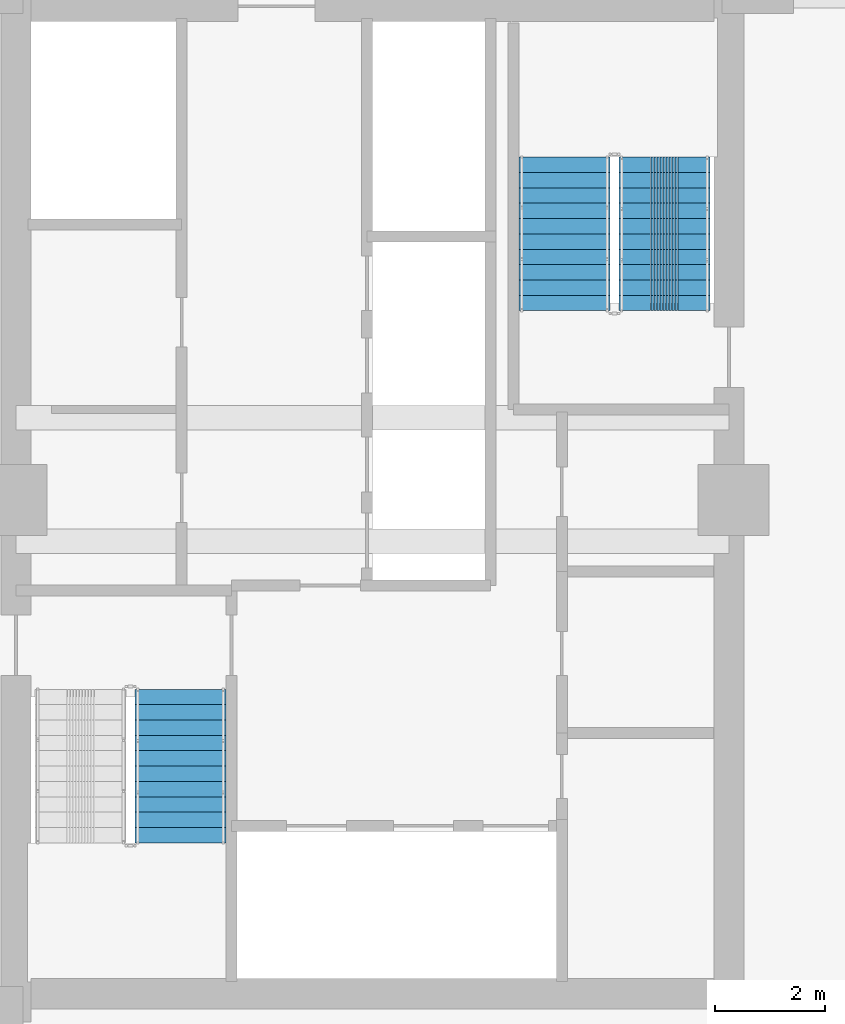
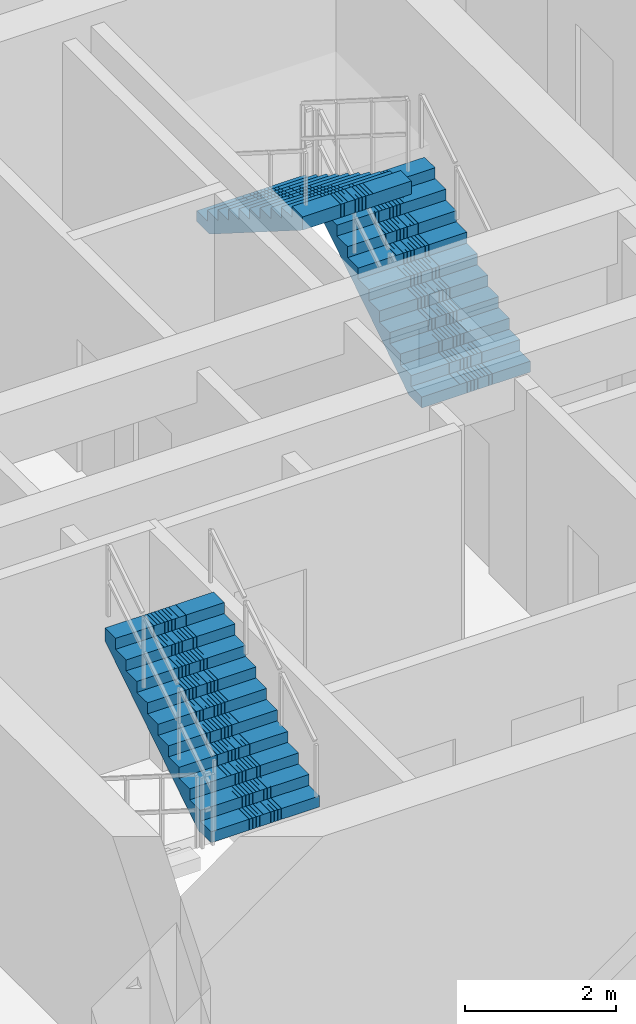
# One storey, part 9 of 13: 3 stair flights, 2 elements without a shape of their own.
"""IFC4 building model written with IfcOpenShell, lengths in metres."""

from ifc_helpers import new_model, si_unit, direction, frame, origin, place, context, subcontext, project, spatial, polyline, outline, extrude, material, type_object, element, aggregate, save


model = new_model("IFC4")

# Units and contexts
model_context = context("Model", 3, precision=1e-05, world=origin(), true_north=direction((0.0, 1.0)))
body_context = subcontext(model_context, "Body", "Model", "MODEL_VIEW")
ifc_project = project(units=[si_unit("LENGTHUNIT", "METRE"), si_unit("AREAUNIT", "SQUARE_METRE"), si_unit("VOLUMEUNIT", "CUBIC_METRE"), si_unit("PLANEANGLEUNIT", "RADIAN"), si_unit("MASSUNIT", "GRAM", prefix="KILO")], contexts=[model_context])

# Site, building, storey
site_placement = place(None, origin())
site = spatial("IfcSite", under=ifc_project, at=site_placement, CompositionType="ELEMENT")
building_placement = place(site_placement, origin())
building = spatial("IfcBuilding", under=site, at=building_placement, Name="Saelheon Loggia Tower", CompositionType="ELEMENT")
storey_placement = place(building_placement, frame((0.0, 0.0, 122.85009765625)))
storey = spatial("IfcBuildingStorey", under=building, at=storey_placement, Name="L39", CompositionType="ELEMENT", Elevation=122.85009765625)

# Stair, stair flight
ifc_material = material(Name="Concrete C40/50", Category="concrete")
stair_type = type_object("IfcStairType", Name="Stair_Escape_Core", PredefinedType="HALF_TURN_STAIR", material=ifc_material)
stair_1_placement = place(storey_placement, origin())
stair_1 = element("IfcStair", 1, at=stair_1_placement, inside=storey, type_object=stair_type, Name="L39 Special Escape Stair ST1", PredefinedType="HALF_TURN_STAIR")
stair_flight_type = type_object("IfcStairFlightType", Name="StairFlight_Tower_1660", PredefinedType="STRAIGHT", material=ifc_material)
stair_flight_1_placement = place(storey_placement, frame((34.5, 20.75, 1.949951171875), z_axis=(0.0, 0.0, 1.0), x_axis=(0.0, 1.0, 0.0)))
stair_flight_1 = element("IfcStairFlight", 2, at=stair_flight_1_placement, type_object=stair_flight_type, Name="ST1 flight 2", NumberOfRisers=11, NumberOfTreads=10, PredefinedType="STRAIGHT", RiserHeight=0.177272727, TreadLength=0.28, context=body_context, shape_type="SweptSolid", body=[
    extrude(outline(polyline([(0.0, 0.0), (0.0, 0.17724609375), (0.280029296875, 0.17724609375), (0.280029296875, 0.3544921875), (0.56005859375, 0.3544921875), (0.56005859375, 0.53173828125), (0.840087890625, 0.53173828125), (0.840087890625, 0.708984375), (1.1201171875, 0.708984375), (1.1201171875, 0.886474609375), (1.39990234375, 0.886474609375), (1.39990234375, 1.063720703125), (1.679931640625, 1.063720703125), (1.679931640625, 1.240966796875), (1.9599609375, 1.240966796875), (1.9599609375, 1.418212890625), (2.239990234375, 1.418212890625), (2.239990234375, 1.595458984375), (2.52001953125, 1.595458984375), (2.52001953125, 1.772705078125), (2.800048828125, 1.772705078125), (2.800048828125, 1.949951171875), (2.800048828125, 1.559814453125), (0.33642578125, 0.0), (0.0, 0.0)])), frame((0.0, -0.2490234375, 0.0), z_axis=(0.0, -1.0, 0.0), x_axis=(1.0, 0.0, 0.0)), (0.0, 0.0, 1.0), 0.5810546875),
    extrude(outline(polyline([(0.0, 0.0), (0.0, 0.17724609375), (0.280029296875, 0.17724609375), (0.280029296875, 0.3544921875), (0.56005859375, 0.3544921875), (0.56005859375, 0.53173828125), (0.840087890625, 0.53173828125), (0.840087890625, 0.708984375), (1.1201171875, 0.708984375), (1.1201171875, 0.886474609375), (1.39990234375, 0.886474609375), (1.39990234375, 1.063720703125), (1.679931640625, 1.063720703125), (1.679931640625, 1.240966796875), (1.9599609375, 1.240966796875), (1.9599609375, 1.418212890625), (2.239990234375, 1.418212890625), (2.239990234375, 1.595458984375), (2.52001953125, 1.595458984375), (2.52001953125, 1.772705078125), (2.800048828125, 1.772705078125), (2.800048828125, 1.949951171875), (2.800048828125, 1.559814453125), (0.33642578125, 0.0), (0.0, 0.0)])), frame((0.0, -0.194091796875, 0.0), z_axis=(0.0, -1.0, 0.0), x_axis=(1.0, 0.0, 0.0)), (0.0, 0.0, 1.0), 0.0498046875),
    extrude(outline(polyline([(0.0, 0.0), (0.0, 0.17724609375), (0.280029296875, 0.17724609375), (0.280029296875, 0.3544921875), (0.56005859375, 0.3544921875), (0.56005859375, 0.53173828125), (0.840087890625, 0.53173828125), (0.840087890625, 0.708984375), (1.1201171875, 0.708984375), (1.1201171875, 0.886474609375), (1.39990234375, 0.886474609375), (1.39990234375, 1.063720703125), (1.679931640625, 1.063720703125), (1.679931640625, 1.240966796875), (1.9599609375, 1.240966796875), (1.9599609375, 1.418212890625), (2.239990234375, 1.418212890625), (2.239990234375, 1.595458984375), (2.52001953125, 1.595458984375), (2.52001953125, 1.772705078125), (2.800048828125, 1.772705078125), (2.800048828125, 1.949951171875), (2.800048828125, 1.559814453125), (0.33642578125, 0.0), (0.0, 0.0)])), frame((0.0, -0.139404296875, 0.0), z_axis=(0.0, -1.0, 0.0), x_axis=(1.0, 0.0, 0.0)), (0.0, 0.0, 1.0), 0.0498046875),
    extrude(outline(polyline([(0.0, 0.0), (0.0, 0.17724609375), (0.280029296875, 0.17724609375), (0.280029296875, 0.3544921875), (0.56005859375, 0.3544921875), (0.56005859375, 0.53173828125), (0.840087890625, 0.53173828125), (0.840087890625, 0.708984375), (1.1201171875, 0.708984375), (1.1201171875, 0.886474609375), (1.39990234375, 0.886474609375), (1.39990234375, 1.063720703125), (1.679931640625, 1.063720703125), (1.679931640625, 1.240966796875), (1.9599609375, 1.240966796875), (1.9599609375, 1.418212890625), (2.239990234375, 1.418212890625), (2.239990234375, 1.595458984375), (2.52001953125, 1.595458984375), (2.52001953125, 1.772705078125), (2.800048828125, 1.772705078125), (2.800048828125, 1.949951171875), (2.800048828125, 1.559814453125), (0.33642578125, 0.0), (0.0, 0.0)])), frame((0.0, -0.084716796875, 0.0), z_axis=(0.0, -1.0, 0.0), x_axis=(1.0, 0.0, 0.0)), (0.0, 0.0, 1.0), 0.0498046875),
    extrude(outline(polyline([(0.0, 0.0), (0.0, 0.17724609375), (0.280029296875, 0.17724609375), (0.280029296875, 0.3544921875), (0.56005859375, 0.3544921875), (0.56005859375, 0.53173828125), (0.840087890625, 0.53173828125), (0.840087890625, 0.708984375), (1.1201171875, 0.708984375), (1.1201171875, 0.886474609375), (1.39990234375, 0.886474609375), (1.39990234375, 1.063720703125), (1.679931640625, 1.063720703125), (1.679931640625, 1.240966796875), (1.9599609375, 1.240966796875), (1.9599609375, 1.418212890625), (2.239990234375, 1.418212890625), (2.239990234375, 1.595458984375), (2.52001953125, 1.595458984375), (2.52001953125, 1.772705078125), (2.800048828125, 1.772705078125), (2.800048828125, 1.949951171875), (2.800048828125, 1.559814453125), (0.33642578125, 0.0), (0.0, 0.0)])), frame((0.0, -0.02978515625, 0.0), z_axis=(0.0, -1.0, 0.0), x_axis=(1.0, 0.0, 0.0)), (0.0, 0.0, 1.0), 0.0498046875),
    extrude(outline(polyline([(0.0, 0.0), (0.0, 0.17724609375), (0.280029296875, 0.17724609375), (0.280029296875, 0.3544921875), (0.56005859375, 0.3544921875), (0.56005859375, 0.53173828125), (0.840087890625, 0.53173828125), (0.840087890625, 0.708984375), (1.1201171875, 0.708984375), (1.1201171875, 0.886474609375), (1.39990234375, 0.886474609375), (1.39990234375, 1.063720703125), (1.679931640625, 1.063720703125), (1.679931640625, 1.240966796875), (1.9599609375, 1.240966796875), (1.9599609375, 1.418212890625), (2.239990234375, 1.418212890625), (2.239990234375, 1.595458984375), (2.52001953125, 1.595458984375), (2.52001953125, 1.772705078125), (2.800048828125, 1.772705078125), (2.800048828125, 1.949951171875), (2.800048828125, 1.559814453125), (0.33642578125, 0.0), (0.0, 0.0)])), frame((0.0, 0.02490234375, 0.0), z_axis=(0.0, -1.0, 0.0), x_axis=(1.0, 0.0, 0.0)), (0.0, 0.0, 1.0), 0.0498046875),
    extrude(outline(polyline([(0.0, 0.0), (0.0, 0.17724609375), (0.280029296875, 0.17724609375), (0.280029296875, 0.3544921875), (0.56005859375, 0.3544921875), (0.56005859375, 0.53173828125), (0.840087890625, 0.53173828125), (0.840087890625, 0.708984375), (1.1201171875, 0.708984375), (1.1201171875, 0.886474609375), (1.39990234375, 0.886474609375), (1.39990234375, 1.063720703125), (1.679931640625, 1.063720703125), (1.679931640625, 1.240966796875), (1.9599609375, 1.240966796875), (1.9599609375, 1.418212890625), (2.239990234375, 1.418212890625), (2.239990234375, 1.595458984375), (2.52001953125, 1.595458984375), (2.52001953125, 1.772705078125), (2.800048828125, 1.772705078125), (2.800048828125, 1.949951171875), (2.800048828125, 1.559814453125), (0.33642578125, 0.0), (0.0, 0.0)])), frame((0.0, 0.07958984375, 0.0), z_axis=(0.0, -1.0, 0.0), x_axis=(1.0, 0.0, 0.0)), (0.0, 0.0, 1.0), 0.0498046875),
    extrude(outline(polyline([(0.0, 0.0), (0.0, 0.17724609375), (0.280029296875, 0.17724609375), (0.280029296875, 0.3544921875), (0.56005859375, 0.3544921875), (0.56005859375, 0.53173828125), (0.840087890625, 0.53173828125), (0.840087890625, 0.708984375), (1.1201171875, 0.708984375), (1.1201171875, 0.886474609375), (1.39990234375, 0.886474609375), (1.39990234375, 1.063720703125), (1.679931640625, 1.063720703125), (1.679931640625, 1.240966796875), (1.9599609375, 1.240966796875), (1.9599609375, 1.418212890625), (2.239990234375, 1.418212890625), (2.239990234375, 1.595458984375), (2.52001953125, 1.595458984375), (2.52001953125, 1.772705078125), (2.800048828125, 1.772705078125), (2.800048828125, 1.949951171875), (2.800048828125, 1.559814453125), (0.33642578125, 0.0), (0.0, 0.0)])), frame((0.0, 0.134521484375, 0.0), z_axis=(0.0, -1.0, 0.0), x_axis=(1.0, 0.0, 0.0)), (0.0, 0.0, 1.0), 0.0498046875),
    extrude(outline(polyline([(0.0, 0.0), (0.0, 0.17724609375), (0.280029296875, 0.17724609375), (0.280029296875, 0.3544921875), (0.56005859375, 0.3544921875), (0.56005859375, 0.53173828125), (0.840087890625, 0.53173828125), (0.840087890625, 0.708984375), (1.1201171875, 0.708984375), (1.1201171875, 0.886474609375), (1.39990234375, 0.886474609375), (1.39990234375, 1.063720703125), (1.679931640625, 1.063720703125), (1.679931640625, 1.240966796875), (1.9599609375, 1.240966796875), (1.9599609375, 1.418212890625), (2.239990234375, 1.418212890625), (2.239990234375, 1.595458984375), (2.52001953125, 1.595458984375), (2.52001953125, 1.772705078125), (2.800048828125, 1.772705078125), (2.800048828125, 1.949951171875), (2.800048828125, 1.559814453125), (0.33642578125, 0.0), (0.0, 0.0)])), frame((0.0, 0.189208984375, 0.0), z_axis=(0.0, -1.0, 0.0), x_axis=(1.0, 0.0, 0.0)), (0.0, 0.0, 1.0), 0.0498046875),
    extrude(outline(polyline([(0.0, 0.0), (0.0, 0.17724609375), (0.280029296875, 0.17724609375), (0.280029296875, 0.3544921875), (0.56005859375, 0.3544921875), (0.56005859375, 0.53173828125), (0.840087890625, 0.53173828125), (0.840087890625, 0.708984375), (1.1201171875, 0.708984375), (1.1201171875, 0.886474609375), (1.39990234375, 0.886474609375), (1.39990234375, 1.063720703125), (1.679931640625, 1.063720703125), (1.679931640625, 1.240966796875), (1.9599609375, 1.240966796875), (1.9599609375, 1.418212890625), (2.239990234375, 1.418212890625), (2.239990234375, 1.595458984375), (2.52001953125, 1.595458984375), (2.52001953125, 1.772705078125), (2.800048828125, 1.772705078125), (2.800048828125, 1.949951171875), (2.800048828125, 1.559814453125), (0.33642578125, 0.0), (0.0, 0.0)])), frame((0.0, 0.243896484375, 0.0), z_axis=(0.0, -1.0, 0.0), x_axis=(1.0, 0.0, 0.0)), (0.0, 0.0, 1.0), 0.0498046875),
    extrude(outline(polyline([(0.0, 0.0), (0.0, 0.17724609375), (0.280029296875, 0.17724609375), (0.280029296875, 0.3544921875), (0.56005859375, 0.3544921875), (0.56005859375, 0.53173828125), (0.840087890625, 0.53173828125), (0.840087890625, 0.708984375), (1.1201171875, 0.708984375), (1.1201171875, 0.886474609375), (1.39990234375, 0.886474609375), (1.39990234375, 1.063720703125), (1.679931640625, 1.063720703125), (1.679931640625, 1.240966796875), (1.9599609375, 1.240966796875), (1.9599609375, 1.418212890625), (2.239990234375, 1.418212890625), (2.239990234375, 1.595458984375), (2.52001953125, 1.595458984375), (2.52001953125, 1.772705078125), (2.800048828125, 1.772705078125), (2.800048828125, 1.949951171875), (2.800048828125, 1.559814453125), (0.33642578125, 0.0), (0.0, 0.0)])), frame((0.0, 0.830078125, 0.0), z_axis=(0.0, -1.0, 0.0), x_axis=(1.0, 0.0, 0.0)), (0.0, 0.0, 1.0), 0.5810546875),
])
aggregate(stair_1, [stair_flight_1])

# Stair, stair flights
stair_2_placement = place(storey_placement, origin())
stair_2 = element("IfcStair", 3, at=stair_2_placement, inside=storey, type_object=stair_type, Name="L39 Special Escape Stair ST2", PredefinedType="HALF_TURN_STAIR")
stair_flight_2_placement = place(storey_placement, frame((43.320068359375, 30.449951171875, 0.0), z_axis=(0.0, 0.0, 1.0), x_axis=(0.0, 1.0, 0.0)))
stair_flight_2 = element("IfcStairFlight", 4, at=stair_flight_2_placement, type_object=stair_flight_type, Name="ST2 flight 1", NumberOfRisers=11, NumberOfTreads=10, PredefinedType="STRAIGHT", RiserHeight=0.177272727, TreadLength=0.28, context=body_context, shape_type="SweptSolid", body=[
    extrude(outline(polyline([(0.0, 0.0), (0.0, 0.17724609375), (0.280029296875, 0.17724609375), (0.280029296875, 0.3544921875), (0.56005859375, 0.3544921875), (0.56005859375, 0.53173828125), (0.840087890625, 0.53173828125), (0.840087890625, 0.708984375), (1.1201171875, 0.708984375), (1.1201171875, 0.886474609375), (1.39990234375, 0.886474609375), (1.39990234375, 1.063720703125), (1.679931640625, 1.063720703125), (1.679931640625, 1.240966796875), (1.9599609375, 1.240966796875), (1.9599609375, 1.418212890625), (2.239990234375, 1.418212890625), (2.239990234375, 1.595458984375), (2.52001953125, 1.595458984375), (2.52001953125, 1.772705078125), (2.800048828125, 1.772705078125), (2.800048828125, 1.949951171875), (2.800048828125, 1.559814453125), (0.33642578125, 0.0), (0.0, 0.0)])), frame((0.0, -0.2490234375, 0.0), z_axis=(0.0, -1.0, 0.0), x_axis=(1.0, 0.0, 0.0)), (0.0, 0.0, 1.0), 0.5810546875),
    extrude(outline(polyline([(0.0, 0.0), (0.0, 0.17724609375), (0.280029296875, 0.17724609375), (0.280029296875, 0.3544921875), (0.56005859375, 0.3544921875), (0.56005859375, 0.53173828125), (0.840087890625, 0.53173828125), (0.840087890625, 0.708984375), (1.1201171875, 0.708984375), (1.1201171875, 0.886474609375), (1.39990234375, 0.886474609375), (1.39990234375, 1.063720703125), (1.679931640625, 1.063720703125), (1.679931640625, 1.240966796875), (1.9599609375, 1.240966796875), (1.9599609375, 1.418212890625), (2.239990234375, 1.418212890625), (2.239990234375, 1.595458984375), (2.52001953125, 1.595458984375), (2.52001953125, 1.772705078125), (2.800048828125, 1.772705078125), (2.800048828125, 1.949951171875), (2.800048828125, 1.559814453125), (0.33642578125, 0.0), (0.0, 0.0)])), frame((0.0, -0.194091796875, 0.0), z_axis=(0.0, -1.0, 0.0), x_axis=(1.0, 0.0, 0.0)), (0.0, 0.0, 1.0), 0.0498046875),
    extrude(outline(polyline([(0.0, 0.0), (0.0, 0.17724609375), (0.280029296875, 0.17724609375), (0.280029296875, 0.3544921875), (0.56005859375, 0.3544921875), (0.56005859375, 0.53173828125), (0.840087890625, 0.53173828125), (0.840087890625, 0.708984375), (1.1201171875, 0.708984375), (1.1201171875, 0.886474609375), (1.39990234375, 0.886474609375), (1.39990234375, 1.063720703125), (1.679931640625, 1.063720703125), (1.679931640625, 1.240966796875), (1.9599609375, 1.240966796875), (1.9599609375, 1.418212890625), (2.239990234375, 1.418212890625), (2.239990234375, 1.595458984375), (2.52001953125, 1.595458984375), (2.52001953125, 1.772705078125), (2.800048828125, 1.772705078125), (2.800048828125, 1.949951171875), (2.800048828125, 1.559814453125), (0.33642578125, 0.0), (0.0, 0.0)])), frame((0.0, -0.139404296875, 0.0), z_axis=(0.0, -1.0, 0.0), x_axis=(1.0, 0.0, 0.0)), (0.0, 0.0, 1.0), 0.0498046875),
    extrude(outline(polyline([(0.0, 0.0), (0.0, 0.17724609375), (0.280029296875, 0.17724609375), (0.280029296875, 0.3544921875), (0.56005859375, 0.3544921875), (0.56005859375, 0.53173828125), (0.840087890625, 0.53173828125), (0.840087890625, 0.708984375), (1.1201171875, 0.708984375), (1.1201171875, 0.886474609375), (1.39990234375, 0.886474609375), (1.39990234375, 1.063720703125), (1.679931640625, 1.063720703125), (1.679931640625, 1.240966796875), (1.9599609375, 1.240966796875), (1.9599609375, 1.418212890625), (2.239990234375, 1.418212890625), (2.239990234375, 1.595458984375), (2.52001953125, 1.595458984375), (2.52001953125, 1.772705078125), (2.800048828125, 1.772705078125), (2.800048828125, 1.949951171875), (2.800048828125, 1.559814453125), (0.33642578125, 0.0), (0.0, 0.0)])), frame((0.0, -0.084716796875, 0.0), z_axis=(0.0, -1.0, 0.0), x_axis=(1.0, 0.0, 0.0)), (0.0, 0.0, 1.0), 0.0498046875),
    extrude(outline(polyline([(0.0, 0.0), (0.0, 0.17724609375), (0.280029296875, 0.17724609375), (0.280029296875, 0.3544921875), (0.56005859375, 0.3544921875), (0.56005859375, 0.53173828125), (0.840087890625, 0.53173828125), (0.840087890625, 0.708984375), (1.1201171875, 0.708984375), (1.1201171875, 0.886474609375), (1.39990234375, 0.886474609375), (1.39990234375, 1.063720703125), (1.679931640625, 1.063720703125), (1.679931640625, 1.240966796875), (1.9599609375, 1.240966796875), (1.9599609375, 1.418212890625), (2.239990234375, 1.418212890625), (2.239990234375, 1.595458984375), (2.52001953125, 1.595458984375), (2.52001953125, 1.772705078125), (2.800048828125, 1.772705078125), (2.800048828125, 1.949951171875), (2.800048828125, 1.559814453125), (0.33642578125, 0.0), (0.0, 0.0)])), frame((0.0, -0.02978515625, 0.0), z_axis=(0.0, -1.0, 0.0), x_axis=(1.0, 0.0, 0.0)), (0.0, 0.0, 1.0), 0.0498046875),
    extrude(outline(polyline([(0.0, 0.0), (0.0, 0.17724609375), (0.280029296875, 0.17724609375), (0.280029296875, 0.3544921875), (0.56005859375, 0.3544921875), (0.56005859375, 0.53173828125), (0.840087890625, 0.53173828125), (0.840087890625, 0.708984375), (1.1201171875, 0.708984375), (1.1201171875, 0.886474609375), (1.39990234375, 0.886474609375), (1.39990234375, 1.063720703125), (1.679931640625, 1.063720703125), (1.679931640625, 1.240966796875), (1.9599609375, 1.240966796875), (1.9599609375, 1.418212890625), (2.239990234375, 1.418212890625), (2.239990234375, 1.595458984375), (2.52001953125, 1.595458984375), (2.52001953125, 1.772705078125), (2.800048828125, 1.772705078125), (2.800048828125, 1.949951171875), (2.800048828125, 1.559814453125), (0.33642578125, 0.0), (0.0, 0.0)])), frame((0.0, 0.02490234375, 0.0), z_axis=(0.0, -1.0, 0.0), x_axis=(1.0, 0.0, 0.0)), (0.0, 0.0, 1.0), 0.0498046875),
    extrude(outline(polyline([(0.0, 0.0), (0.0, 0.17724609375), (0.280029296875, 0.17724609375), (0.280029296875, 0.3544921875), (0.56005859375, 0.3544921875), (0.56005859375, 0.53173828125), (0.840087890625, 0.53173828125), (0.840087890625, 0.708984375), (1.1201171875, 0.708984375), (1.1201171875, 0.886474609375), (1.39990234375, 0.886474609375), (1.39990234375, 1.063720703125), (1.679931640625, 1.063720703125), (1.679931640625, 1.240966796875), (1.9599609375, 1.240966796875), (1.9599609375, 1.418212890625), (2.239990234375, 1.418212890625), (2.239990234375, 1.595458984375), (2.52001953125, 1.595458984375), (2.52001953125, 1.772705078125), (2.800048828125, 1.772705078125), (2.800048828125, 1.949951171875), (2.800048828125, 1.559814453125), (0.33642578125, 0.0), (0.0, 0.0)])), frame((0.0, 0.07958984375, 0.0), z_axis=(0.0, -1.0, 0.0), x_axis=(1.0, 0.0, 0.0)), (0.0, 0.0, 1.0), 0.0498046875),
    extrude(outline(polyline([(0.0, 0.0), (0.0, 0.17724609375), (0.280029296875, 0.17724609375), (0.280029296875, 0.3544921875), (0.56005859375, 0.3544921875), (0.56005859375, 0.53173828125), (0.840087890625, 0.53173828125), (0.840087890625, 0.708984375), (1.1201171875, 0.708984375), (1.1201171875, 0.886474609375), (1.39990234375, 0.886474609375), (1.39990234375, 1.063720703125), (1.679931640625, 1.063720703125), (1.679931640625, 1.240966796875), (1.9599609375, 1.240966796875), (1.9599609375, 1.418212890625), (2.239990234375, 1.418212890625), (2.239990234375, 1.595458984375), (2.52001953125, 1.595458984375), (2.52001953125, 1.772705078125), (2.800048828125, 1.772705078125), (2.800048828125, 1.949951171875), (2.800048828125, 1.559814453125), (0.33642578125, 0.0), (0.0, 0.0)])), frame((0.0, 0.134521484375, 0.0), z_axis=(0.0, -1.0, 0.0), x_axis=(1.0, 0.0, 0.0)), (0.0, 0.0, 1.0), 0.0498046875),
    extrude(outline(polyline([(0.0, 0.0), (0.0, 0.17724609375), (0.280029296875, 0.17724609375), (0.280029296875, 0.3544921875), (0.56005859375, 0.3544921875), (0.56005859375, 0.53173828125), (0.840087890625, 0.53173828125), (0.840087890625, 0.708984375), (1.1201171875, 0.708984375), (1.1201171875, 0.886474609375), (1.39990234375, 0.886474609375), (1.39990234375, 1.063720703125), (1.679931640625, 1.063720703125), (1.679931640625, 1.240966796875), (1.9599609375, 1.240966796875), (1.9599609375, 1.418212890625), (2.239990234375, 1.418212890625), (2.239990234375, 1.595458984375), (2.52001953125, 1.595458984375), (2.52001953125, 1.772705078125), (2.800048828125, 1.772705078125), (2.800048828125, 1.949951171875), (2.800048828125, 1.559814453125), (0.33642578125, 0.0), (0.0, 0.0)])), frame((0.0, 0.189208984375, 0.0), z_axis=(0.0, -1.0, 0.0), x_axis=(1.0, 0.0, 0.0)), (0.0, 0.0, 1.0), 0.0498046875),
    extrude(outline(polyline([(0.0, 0.0), (0.0, 0.17724609375), (0.280029296875, 0.17724609375), (0.280029296875, 0.3544921875), (0.56005859375, 0.3544921875), (0.56005859375, 0.53173828125), (0.840087890625, 0.53173828125), (0.840087890625, 0.708984375), (1.1201171875, 0.708984375), (1.1201171875, 0.886474609375), (1.39990234375, 0.886474609375), (1.39990234375, 1.063720703125), (1.679931640625, 1.063720703125), (1.679931640625, 1.240966796875), (1.9599609375, 1.240966796875), (1.9599609375, 1.418212890625), (2.239990234375, 1.418212890625), (2.239990234375, 1.595458984375), (2.52001953125, 1.595458984375), (2.52001953125, 1.772705078125), (2.800048828125, 1.772705078125), (2.800048828125, 1.949951171875), (2.800048828125, 1.559814453125), (0.33642578125, 0.0), (0.0, 0.0)])), frame((0.0, 0.243896484375, 0.0), z_axis=(0.0, -1.0, 0.0), x_axis=(1.0, 0.0, 0.0)), (0.0, 0.0, 1.0), 0.0498046875),
    extrude(outline(polyline([(0.0, 0.0), (0.0, 0.17724609375), (0.280029296875, 0.17724609375), (0.280029296875, 0.3544921875), (0.56005859375, 0.3544921875), (0.56005859375, 0.53173828125), (0.840087890625, 0.53173828125), (0.840087890625, 0.708984375), (1.1201171875, 0.708984375), (1.1201171875, 0.886474609375), (1.39990234375, 0.886474609375), (1.39990234375, 1.063720703125), (1.679931640625, 1.063720703125), (1.679931640625, 1.240966796875), (1.9599609375, 1.240966796875), (1.9599609375, 1.418212890625), (2.239990234375, 1.418212890625), (2.239990234375, 1.595458984375), (2.52001953125, 1.595458984375), (2.52001953125, 1.772705078125), (2.800048828125, 1.772705078125), (2.800048828125, 1.949951171875), (2.800048828125, 1.559814453125), (0.33642578125, 0.0), (0.0, 0.0)])), frame((0.0, 0.830078125, 0.0), z_axis=(0.0, -1.0, 0.0), x_axis=(1.0, 0.0, 0.0)), (0.0, 0.0, 1.0), 0.5810546875),
])
stair_flight_3_placement = place(storey_placement, frame((41.5, 33.25, 1.949951171875), z_axis=(0.0, 0.0, 1.0), x_axis=(0.0, -1.0, 0.0)))
stair_flight_3 = element("IfcStairFlight", 5, at=stair_flight_3_placement, type_object=stair_flight_type, Name="ST2 flight 2", NumberOfRisers=11, NumberOfTreads=10, PredefinedType="STRAIGHT", RiserHeight=0.177272727, TreadLength=0.28, context=body_context, shape_type="SweptSolid", body=[
    extrude(outline(polyline([(0.0, 0.0), (0.0, 0.17724609375), (0.280029296875, 0.17724609375), (0.280029296875, 0.3544921875), (0.56005859375, 0.3544921875), (0.56005859375, 0.53173828125), (0.840087890625, 0.53173828125), (0.840087890625, 0.708984375), (1.1201171875, 0.708984375), (1.1201171875, 0.886474609375), (1.39990234375, 0.886474609375), (1.39990234375, 1.063720703125), (1.679931640625, 1.063720703125), (1.679931640625, 1.240966796875), (1.9599609375, 1.240966796875), (1.9599609375, 1.418212890625), (2.239990234375, 1.418212890625), (2.239990234375, 1.595458984375), (2.52001953125, 1.595458984375), (2.52001953125, 1.772705078125), (2.800048828125, 1.772705078125), (2.800048828125, 1.949951171875), (2.800048828125, 1.559814453125), (0.33642578125, 0.0), (0.0, 0.0)])), frame((0.0, -0.2490234375, 0.0), z_axis=(0.0, -1.0, 0.0), x_axis=(1.0, 0.0, 0.0)), (0.0, 0.0, 1.0), 0.5810546875),
    extrude(outline(polyline([(0.0, 0.0), (0.0, 0.17724609375), (0.280029296875, 0.17724609375), (0.280029296875, 0.3544921875), (0.56005859375, 0.3544921875), (0.56005859375, 0.53173828125), (0.840087890625, 0.53173828125), (0.840087890625, 0.708984375), (1.1201171875, 0.708984375), (1.1201171875, 0.886474609375), (1.39990234375, 0.886474609375), (1.39990234375, 1.063720703125), (1.679931640625, 1.063720703125), (1.679931640625, 1.240966796875), (1.9599609375, 1.240966796875), (1.9599609375, 1.418212890625), (2.239990234375, 1.418212890625), (2.239990234375, 1.595458984375), (2.52001953125, 1.595458984375), (2.52001953125, 1.772705078125), (2.800048828125, 1.772705078125), (2.800048828125, 1.949951171875), (2.800048828125, 1.559814453125), (0.33642578125, 0.0), (0.0, 0.0)])), frame((0.0, -0.194091796875, 0.0), z_axis=(0.0, -1.0, 0.0), x_axis=(1.0, 0.0, 0.0)), (0.0, 0.0, 1.0), 0.0498046875),
    extrude(outline(polyline([(0.0, 0.0), (0.0, 0.17724609375), (0.280029296875, 0.17724609375), (0.280029296875, 0.3544921875), (0.56005859375, 0.3544921875), (0.56005859375, 0.53173828125), (0.840087890625, 0.53173828125), (0.840087890625, 0.708984375), (1.1201171875, 0.708984375), (1.1201171875, 0.886474609375), (1.39990234375, 0.886474609375), (1.39990234375, 1.063720703125), (1.679931640625, 1.063720703125), (1.679931640625, 1.240966796875), (1.9599609375, 1.240966796875), (1.9599609375, 1.418212890625), (2.239990234375, 1.418212890625), (2.239990234375, 1.595458984375), (2.52001953125, 1.595458984375), (2.52001953125, 1.772705078125), (2.800048828125, 1.772705078125), (2.800048828125, 1.949951171875), (2.800048828125, 1.559814453125), (0.33642578125, 0.0), (0.0, 0.0)])), frame((0.0, -0.139404296875, 0.0), z_axis=(0.0, -1.0, 0.0), x_axis=(1.0, 0.0, 0.0)), (0.0, 0.0, 1.0), 0.0498046875),
    extrude(outline(polyline([(0.0, 0.0), (0.0, 0.17724609375), (0.280029296875, 0.17724609375), (0.280029296875, 0.3544921875), (0.56005859375, 0.3544921875), (0.56005859375, 0.53173828125), (0.840087890625, 0.53173828125), (0.840087890625, 0.708984375), (1.1201171875, 0.708984375), (1.1201171875, 0.886474609375), (1.39990234375, 0.886474609375), (1.39990234375, 1.063720703125), (1.679931640625, 1.063720703125), (1.679931640625, 1.240966796875), (1.9599609375, 1.240966796875), (1.9599609375, 1.418212890625), (2.239990234375, 1.418212890625), (2.239990234375, 1.595458984375), (2.52001953125, 1.595458984375), (2.52001953125, 1.772705078125), (2.800048828125, 1.772705078125), (2.800048828125, 1.949951171875), (2.800048828125, 1.559814453125), (0.33642578125, 0.0), (0.0, 0.0)])), frame((0.0, -0.084716796875, 0.0), z_axis=(0.0, -1.0, 0.0), x_axis=(1.0, 0.0, 0.0)), (0.0, 0.0, 1.0), 0.0498046875),
    extrude(outline(polyline([(0.0, 0.0), (0.0, 0.17724609375), (0.280029296875, 0.17724609375), (0.280029296875, 0.3544921875), (0.56005859375, 0.3544921875), (0.56005859375, 0.53173828125), (0.840087890625, 0.53173828125), (0.840087890625, 0.708984375), (1.1201171875, 0.708984375), (1.1201171875, 0.886474609375), (1.39990234375, 0.886474609375), (1.39990234375, 1.063720703125), (1.679931640625, 1.063720703125), (1.679931640625, 1.240966796875), (1.9599609375, 1.240966796875), (1.9599609375, 1.418212890625), (2.239990234375, 1.418212890625), (2.239990234375, 1.595458984375), (2.52001953125, 1.595458984375), (2.52001953125, 1.772705078125), (2.800048828125, 1.772705078125), (2.800048828125, 1.949951171875), (2.800048828125, 1.559814453125), (0.33642578125, 0.0), (0.0, 0.0)])), frame((0.0, -0.02978515625, 0.0), z_axis=(0.0, -1.0, 0.0), x_axis=(1.0, 0.0, 0.0)), (0.0, 0.0, 1.0), 0.0498046875),
    extrude(outline(polyline([(0.0, 0.0), (0.0, 0.17724609375), (0.280029296875, 0.17724609375), (0.280029296875, 0.3544921875), (0.56005859375, 0.3544921875), (0.56005859375, 0.53173828125), (0.840087890625, 0.53173828125), (0.840087890625, 0.708984375), (1.1201171875, 0.708984375), (1.1201171875, 0.886474609375), (1.39990234375, 0.886474609375), (1.39990234375, 1.063720703125), (1.679931640625, 1.063720703125), (1.679931640625, 1.240966796875), (1.9599609375, 1.240966796875), (1.9599609375, 1.418212890625), (2.239990234375, 1.418212890625), (2.239990234375, 1.595458984375), (2.52001953125, 1.595458984375), (2.52001953125, 1.772705078125), (2.800048828125, 1.772705078125), (2.800048828125, 1.949951171875), (2.800048828125, 1.559814453125), (0.33642578125, 0.0), (0.0, 0.0)])), frame((0.0, 0.02490234375, 0.0), z_axis=(0.0, -1.0, 0.0), x_axis=(1.0, 0.0, 0.0)), (0.0, 0.0, 1.0), 0.0498046875),
    extrude(outline(polyline([(0.0, 0.0), (0.0, 0.17724609375), (0.280029296875, 0.17724609375), (0.280029296875, 0.3544921875), (0.56005859375, 0.3544921875), (0.56005859375, 0.53173828125), (0.840087890625, 0.53173828125), (0.840087890625, 0.708984375), (1.1201171875, 0.708984375), (1.1201171875, 0.886474609375), (1.39990234375, 0.886474609375), (1.39990234375, 1.063720703125), (1.679931640625, 1.063720703125), (1.679931640625, 1.240966796875), (1.9599609375, 1.240966796875), (1.9599609375, 1.418212890625), (2.239990234375, 1.418212890625), (2.239990234375, 1.595458984375), (2.52001953125, 1.595458984375), (2.52001953125, 1.772705078125), (2.800048828125, 1.772705078125), (2.800048828125, 1.949951171875), (2.800048828125, 1.559814453125), (0.33642578125, 0.0), (0.0, 0.0)])), frame((0.0, 0.07958984375, 0.0), z_axis=(0.0, -1.0, 0.0), x_axis=(1.0, 0.0, 0.0)), (0.0, 0.0, 1.0), 0.0498046875),
    extrude(outline(polyline([(0.0, 0.0), (0.0, 0.17724609375), (0.280029296875, 0.17724609375), (0.280029296875, 0.3544921875), (0.56005859375, 0.3544921875), (0.56005859375, 0.53173828125), (0.840087890625, 0.53173828125), (0.840087890625, 0.708984375), (1.1201171875, 0.708984375), (1.1201171875, 0.886474609375), (1.39990234375, 0.886474609375), (1.39990234375, 1.063720703125), (1.679931640625, 1.063720703125), (1.679931640625, 1.240966796875), (1.9599609375, 1.240966796875), (1.9599609375, 1.418212890625), (2.239990234375, 1.418212890625), (2.239990234375, 1.595458984375), (2.52001953125, 1.595458984375), (2.52001953125, 1.772705078125), (2.800048828125, 1.772705078125), (2.800048828125, 1.949951171875), (2.800048828125, 1.559814453125), (0.33642578125, 0.0), (0.0, 0.0)])), frame((0.0, 0.134521484375, 0.0), z_axis=(0.0, -1.0, 0.0), x_axis=(1.0, 0.0, 0.0)), (0.0, 0.0, 1.0), 0.0498046875),
    extrude(outline(polyline([(0.0, 0.0), (0.0, 0.17724609375), (0.280029296875, 0.17724609375), (0.280029296875, 0.3544921875), (0.56005859375, 0.3544921875), (0.56005859375, 0.53173828125), (0.840087890625, 0.53173828125), (0.840087890625, 0.708984375), (1.1201171875, 0.708984375), (1.1201171875, 0.886474609375), (1.39990234375, 0.886474609375), (1.39990234375, 1.063720703125), (1.679931640625, 1.063720703125), (1.679931640625, 1.240966796875), (1.9599609375, 1.240966796875), (1.9599609375, 1.418212890625), (2.239990234375, 1.418212890625), (2.239990234375, 1.595458984375), (2.52001953125, 1.595458984375), (2.52001953125, 1.772705078125), (2.800048828125, 1.772705078125), (2.800048828125, 1.949951171875), (2.800048828125, 1.559814453125), (0.33642578125, 0.0), (0.0, 0.0)])), frame((0.0, 0.189208984375, 0.0), z_axis=(0.0, -1.0, 0.0), x_axis=(1.0, 0.0, 0.0)), (0.0, 0.0, 1.0), 0.0498046875),
    extrude(outline(polyline([(0.0, 0.0), (0.0, 0.17724609375), (0.280029296875, 0.17724609375), (0.280029296875, 0.3544921875), (0.56005859375, 0.3544921875), (0.56005859375, 0.53173828125), (0.840087890625, 0.53173828125), (0.840087890625, 0.708984375), (1.1201171875, 0.708984375), (1.1201171875, 0.886474609375), (1.39990234375, 0.886474609375), (1.39990234375, 1.063720703125), (1.679931640625, 1.063720703125), (1.679931640625, 1.240966796875), (1.9599609375, 1.240966796875), (1.9599609375, 1.418212890625), (2.239990234375, 1.418212890625), (2.239990234375, 1.595458984375), (2.52001953125, 1.595458984375), (2.52001953125, 1.772705078125), (2.800048828125, 1.772705078125), (2.800048828125, 1.949951171875), (2.800048828125, 1.559814453125), (0.33642578125, 0.0), (0.0, 0.0)])), frame((0.0, 0.243896484375, 0.0), z_axis=(0.0, -1.0, 0.0), x_axis=(1.0, 0.0, 0.0)), (0.0, 0.0, 1.0), 0.0498046875),
    extrude(outline(polyline([(0.0, 0.0), (0.0, 0.17724609375), (0.280029296875, 0.17724609375), (0.280029296875, 0.3544921875), (0.56005859375, 0.3544921875), (0.56005859375, 0.53173828125), (0.840087890625, 0.53173828125), (0.840087890625, 0.708984375), (1.1201171875, 0.708984375), (1.1201171875, 0.886474609375), (1.39990234375, 0.886474609375), (1.39990234375, 1.063720703125), (1.679931640625, 1.063720703125), (1.679931640625, 1.240966796875), (1.9599609375, 1.240966796875), (1.9599609375, 1.418212890625), (2.239990234375, 1.418212890625), (2.239990234375, 1.595458984375), (2.52001953125, 1.595458984375), (2.52001953125, 1.772705078125), (2.800048828125, 1.772705078125), (2.800048828125, 1.949951171875), (2.800048828125, 1.559814453125), (0.33642578125, 0.0), (0.0, 0.0)])), frame((0.0, 0.830078125, 0.0), z_axis=(0.0, -1.0, 0.0), x_axis=(1.0, 0.0, 0.0)), (0.0, 0.0, 1.0), 0.5810546875),
])
aggregate(stair_2, [stair_flight_2, stair_flight_3])

save(model, "model.ifc")
